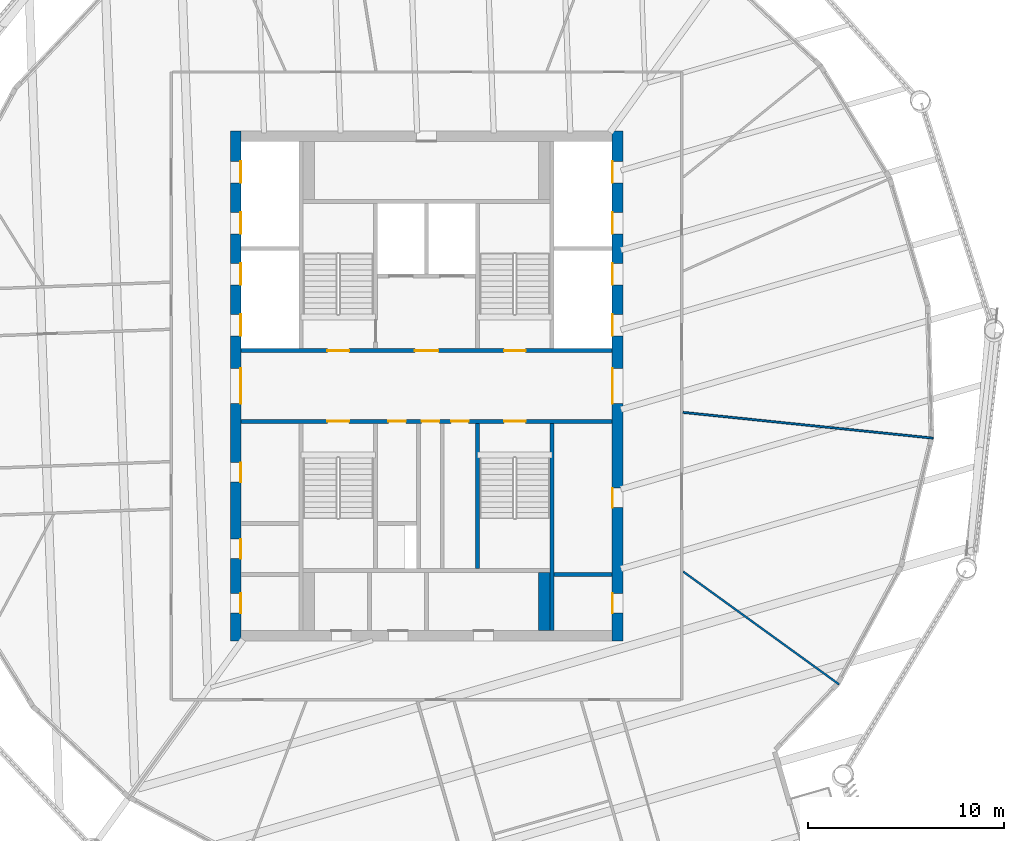
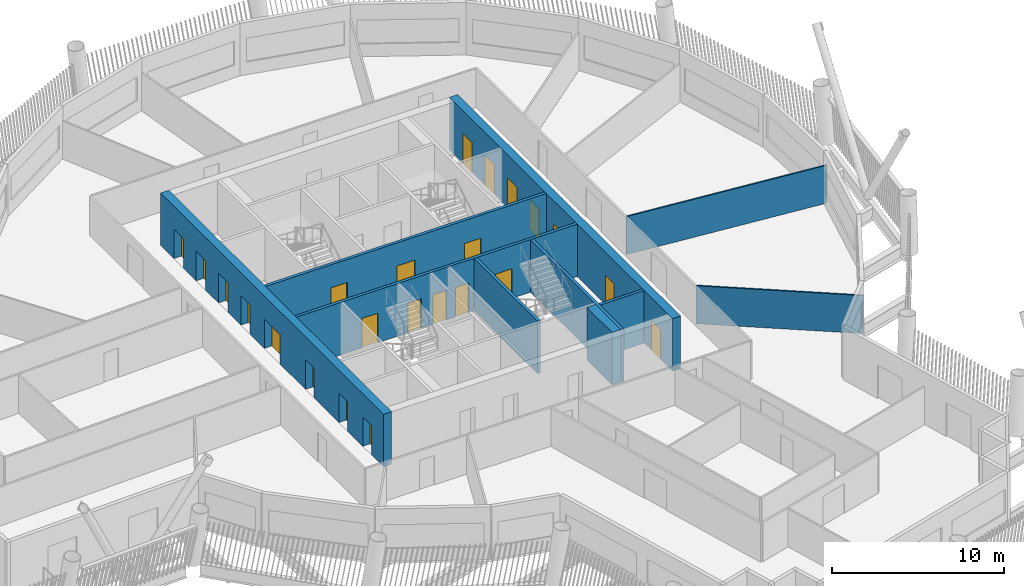
# One storey, part 5 of 20: 23 doors, 10 walls, 23 openings.
"""IFC4 building model written with IfcOpenShell, lengths in metres."""

import ifcopenshell
import ifcopenshell.guid

model = None  # the IFC model being written
_history = None  # IfcOwnerHistory: only IFC2X3 demands one
_inside = {}  # id of a spatial element -> (the spatial element, [elements in it])
_under = {}  # id of a project, library or spatial element -> (it, [spatial elements below it])
_declared = {}  # id of a project -> (the project, [libraries it declares])
_typed = {}  # id of a type object -> (the type object, [elements of that type])
_made_of = {}  # id of a material, layer set ... -> (it, [elements and type objects made of it])


def new_model(schema):
    """Start an empty IFC model of exactly this schema.

    Asked for "IFC4X3", IfcOpenShell would pick the latest addendum, in which some entities
    have other attributes; the version numbers below select the first issue.
    IFC2X3 requires an IfcOwnerHistory on every rooted entity: one is made here for all.
    """
    global model, _history
    if schema == "IFC4X3":
        model = ifcopenshell.file(schema_version=(4, 3, 0, 0))
    else:
        model = ifcopenshell.file(schema=schema)
    _inside.clear()
    _under.clear()
    _declared.clear()
    _typed.clear()
    _made_of.clear()
    _history = None
    if model.schema == "IFC2X3":
        org = make("IfcOrganization", Name="unknown")
        user = make(
            "IfcPersonAndOrganization",
            ThePerson=make("IfcPerson", FamilyName="unknown"),
            TheOrganization=org,
        )
        app = make(
            "IfcApplication",
            ApplicationDeveloper=org,
            Version="unknown",
            ApplicationFullName="unknown",
            ApplicationIdentifier="unknown",
        )
        _history = make(
            "IfcOwnerHistory",
            OwningUser=user,
            OwningApplication=app,
            ChangeAction="ADDED",
            CreationDate=0,
        )
    return model


def make(cls, **values):
    """One entity of the class cls with the attributes given. An attribute that is None is left unset."""
    return model.create_entity(
        cls, **{name: value for name, value in values.items() if value is not None}
    )


def rooted(cls, **values):
    """An entity with a GlobalId (a new one), such as an element, a storey or a relation."""
    return make(cls, GlobalId=ifcopenshell.guid.new(), OwnerHistory=_history, **values)


def si_unit(unit_type, name, prefix=None):
    """IfcSIUnit, for example si_unit("LENGTHUNIT", "METRE", prefix="MILLI")."""
    return make("IfcSIUnit", UnitType=unit_type, Prefix=prefix, Name=name)


def assignment(units):
    """IfcUnitAssignment: the units of a project."""
    return None if units is None else make("IfcUnitAssignment", Units=units)


def point(xyz):
    """IfcCartesianPoint."""
    return None if xyz is None else make("IfcCartesianPoint", Coordinates=xyz)


def direction(xyz):
    """IfcDirection."""
    return None if xyz is None else make("IfcDirection", DirectionRatios=xyz)


def frame(location, z_axis=None, x_axis=None):
    """IfcAxis2Placement3D, a coordinate frame: its origin and axes. An axis left out is left unset."""
    return make(
        "IfcAxis2Placement3D",
        Location=point(location),
        Axis=direction(z_axis),
        RefDirection=direction(x_axis),
    )


def frame_2d(location, x_axis=None):
    """IfcAxis2Placement2D, a coordinate frame in the plane: its origin and x axis."""
    return make(
        "IfcAxis2Placement2D", Location=point(location), RefDirection=direction(x_axis)
    )


def origin():
    """The frame at (0, 0, 0) with its axes left unset."""
    return frame((0.0, 0.0, 0.0))


def place(relative_to, where):
    """IfcLocalPlacement: puts the frame where relative to a parent placement (None: the world)."""
    return make(
        "IfcLocalPlacement", PlacementRelTo=relative_to, RelativePlacement=where
    )


def context(
    kind, dimensions, precision=None, world=None, true_north=None, identifier=None
):
    """IfcGeometricRepresentationContext, for example the 3D "Model" context."""
    return make(
        "IfcGeometricRepresentationContext",
        ContextIdentifier=identifier,
        ContextType=kind,
        CoordinateSpaceDimension=dimensions,
        Precision=precision,
        WorldCoordinateSystem=world,
        TrueNorth=true_north,
    )


def subcontext(parent, identifier, kind, view, scale=None):
    """IfcGeometricRepresentationSubContext, for example "Body" below "Model"."""
    return make(
        "IfcGeometricRepresentationSubContext",
        ContextIdentifier=identifier,
        ContextType=kind,
        ParentContext=parent,
        TargetScale=scale,
        TargetView=view,
    )


def project(units=None, contexts=None):
    """IfcProject with its units and contexts."""
    return rooted(
        "IfcProject",
        Name="project",
        RepresentationContexts=contexts,
        UnitsInContext=assignment(units),
    )


def spatial(cls, under=None, at=None, **own):
    """A site, building, storey or space (cls), placed at a placement, below another one or the project."""
    s = rooted(cls, ObjectPlacement=at, **own)
    if under is not None:
        _under.setdefault(under.id(), (under, []))[1].append(s)
    return s


def profile(cls, at=None, kind="AREA", **sizes):
    """A parametric profile (cls). Its sizes go by their IFC names, for example OverallWidth=200.0."""
    return make(cls, ProfileType=kind, Position=at, **sizes)


def rectangle(**sizes):
    """IfcRectangleProfileDef."""
    return profile("IfcRectangleProfileDef", **sizes)


def extrude(swept, where, along, depth):
    """IfcExtrudedAreaSolid: the profile swept, set in the frame where, extruded along a direction by depth."""
    return make(
        "IfcExtrudedAreaSolid",
        SweptArea=swept,
        Position=where,
        ExtrudedDirection=direction(along),
        Depth=depth,
    )


def shape(context_of_items, identifier, shape_type, items):
    """IfcShapeRepresentation: the items that make up one representation, for example the "Body"."""
    return make(
        "IfcShapeRepresentation",
        ContextOfItems=context_of_items,
        RepresentationIdentifier=identifier,
        RepresentationType=shape_type,
        Items=items,
    )


def material(Name=None, Category=None):
    """IfcMaterial."""
    return make("IfcMaterial", Name=Name, Category=Category)


def layer(
    of_material, thickness, ventilated=None, Name=None, Category=None, Priority=None
):
    """IfcMaterialLayer: one layer of a wall or slab, of a material (None: an air gap)."""
    return make(
        "IfcMaterialLayer",
        Material=of_material,
        LayerThickness=thickness,
        IsVentilated=ventilated,
        Name=Name,
        Category=Category,
        Priority=Priority,
    )


def layer_set(layers, Name=None):
    """IfcMaterialLayerSet."""
    return make("IfcMaterialLayerSet", MaterialLayers=layers, LayerSetName=Name)


def made_of(thing, what):
    """Note that an element or type object is made of a material, layer set ...; save() writes the relation."""
    if what is not None:
        _made_of.setdefault(what.id(), (what, []))[1].append(thing)
    return thing


def type_object(cls, material=None, **own):
    """A type object (cls), such as IfcWallType, which elements share."""
    return made_of(rooted(cls, **own), material)


def element(
    cls,
    number,
    at=None,
    inside=None,
    cuts=None,
    type_object=None,
    material=None,
    context=None,
    identifier="Body",
    shape_type=None,
    held_by="IfcProductDefinitionShape",
    body=None,
    shapes=None,
    **own,
):
    """One element of the class cls, such as IfcWall. Its Tag is "e" and its number.

    at: its placement. inside: the storey or other place that contains it. cuts: it is an
    opening in that element (IfcRelVoidsElement). A single representation is given by context,
    identifier, shape_type and body (its items); several are given by shapes. held_by: the class
    of the entity that holds the representations. save() writes the other relations.
    """
    e = rooted(cls, Tag="e%d" % number, ObjectPlacement=at, **own)
    if body is not None:
        shapes = [shape(context, identifier, shape_type, body)]
    if shapes is not None:
        e.Representation = make(held_by, Representations=shapes)
    if inside is not None:
        _inside.setdefault(inside.id(), (inside, []))[1].append(e)
    if cuts is not None:
        rooted(
            "IfcRelVoidsElement", RelatingBuildingElement=cuts, RelatedOpeningElement=e
        )
    if type_object is not None:
        _typed.setdefault(type_object.id(), (type_object, []))[1].append(e)
    return made_of(e, material)


def fill(opening, filler):
    """IfcRelFillsElement: the door or window that sits in an opening."""
    return rooted(
        "IfcRelFillsElement",
        RelatingOpeningElement=opening,
        RelatedBuildingElement=filler,
    )


def aggregate(whole, parts):
    """IfcRelAggregates: a whole, such as a stair, and the parts it consists of."""
    return rooted("IfcRelAggregates", RelatingObject=whole, RelatedObjects=parts)


def save(model, path):
    """Write the relations noted so far, then the file.

    IfcRelAggregates (storeys below a building ...), IfcRelContainedInSpatialStructure (elements
    in a storey), IfcRelDefinesByType, IfcRelAssociatesMaterial and IfcRelDeclares: one each for
    every whole, place, type object, material and project.
    """
    for whole, parts in _under.values():
        aggregate(whole, parts)
    for where, things in _inside.values():
        rooted(
            "IfcRelContainedInSpatialStructure",
            RelatedElements=things,
            RelatingStructure=where,
        )
    for kind, things in _typed.values():
        rooted("IfcRelDefinesByType", RelatedObjects=things, RelatingType=kind)
    for what, things in _made_of.values():
        rooted("IfcRelAssociatesMaterial", RelatedObjects=things, RelatingMaterial=what)
    for by, libraries in _declared.values():
        rooted("IfcRelDeclares", RelatingContext=by, RelatedDefinitions=libraries)
    model.write(path)


model = new_model("IFC4")

# Units and contexts
model_context = context("Model", 3, precision=1e-05, world=origin(), true_north=direction((0.0, 1.0)))
body_context = subcontext(model_context, "Body", "Model", "MODEL_VIEW")
ifc_project = project(units=[si_unit("LENGTHUNIT", "METRE"), si_unit("AREAUNIT", "SQUARE_METRE"), si_unit("VOLUMEUNIT", "CUBIC_METRE"), si_unit("PLANEANGLEUNIT", "RADIAN"), si_unit("MASSUNIT", "GRAM", prefix="KILO")], contexts=[model_context])

# Site, building, storey
site_placement = place(None, origin())
site = spatial("IfcSite", under=ifc_project, at=site_placement, CompositionType="ELEMENT")
building_placement = place(site_placement, origin())
building = spatial("IfcBuilding", under=site, at=building_placement, Name="Tarsis Ring Headquarters", CompositionType="ELEMENT")
storey_placement = place(building_placement, frame((0.0, 0.0, 294.199951171875)))
storey = spatial("IfcBuildingStorey", under=building, at=storey_placement, Name="L69", CompositionType="ELEMENT", Elevation=294.199951171875)

# Wall
ifc_material_1 = material(Name="Blockwork", Category="masonry")
ifc_layer_1 = layer(ifc_material_1, 0.199951171875)
ifc_layer_set_1 = layer_set([ifc_layer_1], Name="Core blockwork wall 200")
wall_type_1 = type_object("IfcWallType", Name="Core blockwork wall 200", PredefinedType="PARTITIONING", material=ifc_layer_set_1)
wall_1_placement = place(storey_placement, frame((6.5, -9.60009765625, 0.0), z_axis=(0.0, 0.0, 1.0), x_axis=(1.0, 0.0, 0.0)))
element("IfcWall", 1, at=wall_1_placement, inside=storey, type_object=wall_type_1, Name="Core partition ED1", PredefinedType="PARTITIONING", context=body_context, shape_type="SweptSolid", body=[
    extrude(rectangle(XDim=2.949951171875, YDim=0.199951171875, at=frame_2d((1.47509765625, 0.0))), origin(), (0.0, 0.0, 1.0), 3.739990234375),
])

# Wall, openings, doors
ifc_material_2 = material(Name="Concrete C50/60", Category="concrete")
ifc_layer_2 = layer(ifc_material_2, 0.550048828125)
ifc_layer_set_2 = layer_set([ifc_layer_2], Name="Core wall 550 C50/60")
wall_type_2 = type_object("IfcWallType", Name="Core wall 550 C50/60", PredefinedType="SHEAR", material=ifc_layer_set_2)
wall_2_placement = place(storey_placement, frame((-9.72509765625, -13.0, 0.0), z_axis=(0.0, 0.0, 1.0), x_axis=(0.0, 1.0, 0.0)))
wall_2 = element("IfcWall", 2, at=wall_2_placement, inside=storey, type_object=wall_type_2, Name="Core wall OW", PredefinedType="SHEAR", context=body_context, shape_type="SweptSolid", body=[
    extrude(rectangle(XDim=26.0, YDim=0.550048828125, at=frame_2d((13.0, 0.0))), origin(), (0.0, 0.0, 1.0), 3.739990234375),
])
opening_1_placement = place(wall_2_placement, frame((1.425048828125, 0.0, 0.0)))
opening_1 = element("IfcOpeningElement", 3, at=opening_1_placement, cuts=wall_2, Name="Opening L69-C01", PredefinedType="OPENING", context=body_context, shape_type="SweptSolid", body=[
    extrude(rectangle(XDim=1.0, YDim=2.10009765625, at=frame_2d((0.5, 1.050048828125))), frame((0.0, 0.284912109375, 0.0), z_axis=(0.0, -1.0, 0.0), x_axis=(1.0, 0.0, 0.0)), (0.0, 0.0, 1.0), 0.570068359375),
])
opening_2_placement = place(wall_2_placement, frame((4.199951171875, 0.0, 0.0)))
opening_2 = element("IfcOpeningElement", 4, at=opening_2_placement, cuts=wall_2, Name="Opening L69-C02", PredefinedType="OPENING", context=body_context, shape_type="SweptSolid", body=[
    extrude(rectangle(XDim=1.0, YDim=2.10009765625, at=frame_2d((0.5, 1.050048828125))), frame((0.0, 0.284912109375, 0.0), z_axis=(0.0, -1.0, 0.0), x_axis=(1.0, 0.0, 0.0)), (0.0, 0.0, 1.0), 0.570068359375),
])
opening_3_placement = place(wall_2_placement, frame((8.10009765625, 0.0, 0.0)))
opening_3 = element("IfcOpeningElement", 5, at=opening_3_placement, cuts=wall_2, Name="Opening L69-C03", PredefinedType="OPENING", context=body_context, shape_type="SweptSolid", body=[
    extrude(rectangle(XDim=1.0, YDim=2.10009765625, at=frame_2d((0.5, 1.050048828125))), frame((0.0, 0.284912109375, 0.0), z_axis=(0.0, -1.0, 0.0), x_axis=(1.0, 0.0, 0.0)), (0.0, 0.0, 1.0), 0.570068359375),
])
opening_4_placement = place(wall_2_placement, frame((12.10009765625, 0.0, 0.0)))
opening_4 = element("IfcOpeningElement", 6, at=opening_4_placement, cuts=wall_2, Name="Opening L69-C04", PredefinedType="OPENING", context=body_context, shape_type="SweptSolid", body=[
    extrude(rectangle(XDim=1.800048828125, YDim=2.10009765625, at=frame_2d((0.89990234375, 1.050048828125))), frame((0.0, 0.284912109375, 0.0), z_axis=(0.0, -1.0, 0.0), x_axis=(1.0, 0.0, 0.0)), (0.0, 0.0, 1.0), 0.570068359375),
])
opening_5_placement = place(wall_2_placement, frame((15.550048828125, 0.0, 0.0)))
opening_5 = element("IfcOpeningElement", 7, at=opening_5_placement, cuts=wall_2, Name="Opening LD-HR1", PredefinedType="OPENING", context=body_context, shape_type="SweptSolid", body=[
    extrude(rectangle(XDim=1.10009765625, YDim=2.10009765625, at=frame_2d((0.550048828125, 1.050048828125))), frame((0.0, 0.284912109375, 0.0), z_axis=(0.0, -1.0, 0.0), x_axis=(1.0, 0.0, 0.0)), (0.0, 0.0, 1.0), 0.570068359375),
])
opening_6_placement = place(wall_2_placement, frame((18.14990234375, 0.0, 0.0)))
opening_6 = element("IfcOpeningElement", 8, at=opening_6_placement, cuts=wall_2, Name="Opening LD-HR2", PredefinedType="OPENING", context=body_context, shape_type="SweptSolid", body=[
    extrude(rectangle(XDim=1.10009765625, YDim=2.10009765625, at=frame_2d((0.550048828125, 1.050048828125))), frame((0.0, 0.284912109375, 0.0), z_axis=(0.0, -1.0, 0.0), x_axis=(1.0, 0.0, 0.0)), (0.0, 0.0, 1.0), 0.570068359375),
])
opening_7_placement = place(wall_2_placement, frame((20.75, 0.0, 0.0)))
opening_7 = element("IfcOpeningElement", 9, at=opening_7_placement, cuts=wall_2, Name="Opening LD-HR3", PredefinedType="OPENING", context=body_context, shape_type="SweptSolid", body=[
    extrude(rectangle(XDim=1.10009765625, YDim=2.10009765625, at=frame_2d((0.550048828125, 1.050048828125))), frame((0.0, 0.284912109375, 0.0), z_axis=(0.0, -1.0, 0.0), x_axis=(1.0, 0.0, 0.0)), (0.0, 0.0, 1.0), 0.570068359375),
])
opening_8_placement = place(wall_2_placement, frame((23.35009765625, 0.0, 0.0)))
opening_8 = element("IfcOpeningElement", 10, at=opening_8_placement, cuts=wall_2, Name="Opening LD-HR4", PredefinedType="OPENING", context=body_context, shape_type="SweptSolid", body=[
    extrude(rectangle(XDim=1.10009765625, YDim=2.10009765625, at=frame_2d((0.550048828125, 1.050048828125))), frame((0.0, 0.284912109375, 0.0), z_axis=(0.0, -1.0, 0.0), x_axis=(1.0, 0.0, 0.0)), (0.0, 0.0, 1.0), 0.570068359375),
])
ifc_material_3 = material(Name="Steel S355", Category="steel")
door_type_1 = type_object("IfcDoorType", Name="Core entry door 1800x2100", OperationType="DOUBLE_DOOR_SINGLE_SWING", PredefinedType="DOOR", material=ifc_material_3)
door_1_placement = place(opening_4_placement, origin())
door_1 = element("IfcDoor", 11, at=door_1_placement, inside=storey, type_object=door_type_1, Name="Core entry door L69", OperationType="DOUBLE_DOOR_SINGLE_SWING", OverallHeight=2.10009765625, OverallWidth=1.800048828125, PredefinedType="DOOR", context=body_context, shape_type="SweptSolid", body=[
    extrude(rectangle(XDim=1.800048828125, YDim=2.10009765625, at=frame_2d((0.89990234375, 1.050048828125))), frame((0.0, -0.22509765625, 0.0), z_axis=(0.0, -1.0, 0.0), x_axis=(1.0, 0.0, 0.0)), (0.0, 0.0, 1.0), 0.050048828125),
])
fill(opening_4, door_1)
door_type_2 = type_object("IfcDoorType", Name="Core room door 1000x2100", OperationType="SINGLE_SWING_LEFT", PredefinedType="DOOR", material=ifc_material_3)
door_2_placement = place(opening_1_placement, origin())
door_2 = element("IfcDoor", 12, at=door_2_placement, inside=storey, type_object=door_type_2, Name="Core room door L69", OperationType="SINGLE_SWING_LEFT", OverallHeight=2.10009765625, OverallWidth=1.0, PredefinedType="DOOR", context=body_context, shape_type="SweptSolid", body=[
    extrude(rectangle(XDim=1.0, YDim=2.10009765625, at=frame_2d((0.5, 1.050048828125))), frame((0.0, -0.22509765625, 0.0), z_axis=(0.0, -1.0, 0.0), x_axis=(1.0, 0.0, 0.0)), (0.0, 0.0, 1.0), 0.050048828125),
])
fill(opening_1, door_2)
door_3_placement = place(opening_2_placement, origin())
door_3 = element("IfcDoor", 13, at=door_3_placement, inside=storey, type_object=door_type_2, Name="Core room door L69", OperationType="SINGLE_SWING_LEFT", OverallHeight=2.10009765625, OverallWidth=1.0, PredefinedType="DOOR", context=body_context, shape_type="SweptSolid", body=[
    extrude(rectangle(XDim=1.0, YDim=2.10009765625, at=frame_2d((0.5, 1.050048828125))), frame((0.0, -0.22509765625, 0.0), z_axis=(0.0, -1.0, 0.0), x_axis=(1.0, 0.0, 0.0)), (0.0, 0.0, 1.0), 0.050048828125),
])
fill(opening_2, door_3)
door_4_placement = place(opening_3_placement, origin())
door_4 = element("IfcDoor", 14, at=door_4_placement, inside=storey, type_object=door_type_2, Name="Core room door L69", OperationType="SINGLE_SWING_LEFT", OverallHeight=2.10009765625, OverallWidth=1.0, PredefinedType="DOOR", context=body_context, shape_type="SweptSolid", body=[
    extrude(rectangle(XDim=1.0, YDim=2.10009765625, at=frame_2d((0.5, 1.050048828125))), frame((0.0, -0.22509765625, 0.0), z_axis=(0.0, -1.0, 0.0), x_axis=(1.0, 0.0, 0.0)), (0.0, 0.0, 1.0), 0.050048828125),
])
fill(opening_3, door_4)
door_type_3 = type_object("IfcDoorType", Name="Landing door 1100x2100", OperationType="SLIDING_TO_LEFT", PredefinedType="DOOR", material=ifc_material_3)
door_5_placement = place(opening_5_placement, origin())
door_5 = element("IfcDoor", 15, at=door_5_placement, inside=storey, type_object=door_type_3, Name="Landing door HR1 L69", OperationType="SLIDING_TO_LEFT", OverallHeight=2.10009765625, OverallWidth=1.10009765625, PredefinedType="DOOR", context=body_context, shape_type="SweptSolid", body=[
    extrude(rectangle(XDim=1.10009765625, YDim=2.10009765625, at=frame_2d((0.550048828125, 1.050048828125))), frame((0.0, -0.22509765625, 0.0), z_axis=(0.0, -1.0, 0.0), x_axis=(1.0, 0.0, 0.0)), (0.0, 0.0, 1.0), 0.050048828125),
])
fill(opening_5, door_5)
door_6_placement = place(opening_6_placement, origin())
door_6 = element("IfcDoor", 16, at=door_6_placement, inside=storey, type_object=door_type_3, Name="Landing door HR2 L69", OperationType="SLIDING_TO_LEFT", OverallHeight=2.10009765625, OverallWidth=1.10009765625, PredefinedType="DOOR", context=body_context, shape_type="SweptSolid", body=[
    extrude(rectangle(XDim=1.10009765625, YDim=2.10009765625, at=frame_2d((0.550048828125, 1.050048828125))), frame((0.0, -0.22509765625, 0.0), z_axis=(0.0, -1.0, 0.0), x_axis=(1.0, 0.0, 0.0)), (0.0, 0.0, 1.0), 0.050048828125),
])
fill(opening_6, door_6)
door_7_placement = place(opening_7_placement, origin())
door_7 = element("IfcDoor", 17, at=door_7_placement, inside=storey, type_object=door_type_3, Name="Landing door HR3 L69", OperationType="SLIDING_TO_LEFT", OverallHeight=2.10009765625, OverallWidth=1.10009765625, PredefinedType="DOOR", context=body_context, shape_type="SweptSolid", body=[
    extrude(rectangle(XDim=1.10009765625, YDim=2.10009765625, at=frame_2d((0.550048828125, 1.050048828125))), frame((0.0, -0.22509765625, 0.0), z_axis=(0.0, -1.0, 0.0), x_axis=(1.0, 0.0, 0.0)), (0.0, 0.0, 1.0), 0.050048828125),
])
fill(opening_7, door_7)
door_8_placement = place(opening_8_placement, origin())
door_8 = element("IfcDoor", 18, at=door_8_placement, inside=storey, type_object=door_type_3, Name="Landing door HR4 L69", OperationType="SLIDING_TO_LEFT", OverallHeight=2.10009765625, OverallWidth=1.10009765625, PredefinedType="DOOR", context=body_context, shape_type="SweptSolid", body=[
    extrude(rectangle(XDim=1.10009765625, YDim=2.10009765625, at=frame_2d((0.550048828125, 1.050048828125))), frame((0.0, -0.22509765625, 0.0), z_axis=(0.0, -1.0, 0.0), x_axis=(1.0, 0.0, 0.0)), (0.0, 0.0, 1.0), 0.050048828125),
])
fill(opening_8, door_8)

wall_3_placement = place(storey_placement, frame((9.72509765625, -13.0, 0.0), z_axis=(0.0, 0.0, 1.0), x_axis=(0.0, 1.0, 0.0)))
wall_3 = element("IfcWall", 19, at=wall_3_placement, inside=storey, type_object=wall_type_2, Name="Core wall OE", PredefinedType="SHEAR", context=body_context, shape_type="SweptSolid", body=[
    extrude(rectangle(XDim=26.0, YDim=0.550048828125, at=frame_2d((13.0, 0.0))), origin(), (0.0, 0.0, 1.0), 3.739990234375),
])
opening_9_placement = place(wall_3_placement, frame((1.425048828125, 0.0, 0.0)))
opening_9 = element("IfcOpeningElement", 20, at=opening_9_placement, cuts=wall_3, Name="Opening L69-C09", PredefinedType="OPENING", context=body_context, shape_type="SweptSolid", body=[
    extrude(rectangle(XDim=1.0, YDim=2.10009765625, at=frame_2d((0.5, 1.050048828125))), frame((0.0, 0.284912109375, 0.0), z_axis=(0.0, -1.0, 0.0), x_axis=(1.0, 0.0, 0.0)), (0.0, 0.0, 1.0), 0.570068359375),
])
opening_10_placement = place(wall_3_placement, frame((6.800048828125, 0.0, 0.0)))
opening_10 = element("IfcOpeningElement", 21, at=opening_10_placement, cuts=wall_3, Name="Opening L69-C10", PredefinedType="OPENING", context=body_context, shape_type="SweptSolid", body=[
    extrude(rectangle(XDim=1.0, YDim=2.10009765625, at=frame_2d((0.5, 1.050048828125))), frame((0.0, 0.284912109375, 0.0), z_axis=(0.0, -1.0, 0.0), x_axis=(1.0, 0.0, 0.0)), (0.0, 0.0, 1.0), 0.570068359375),
])
opening_11_placement = place(wall_3_placement, frame((12.10009765625, 0.0, 0.0)))
opening_11 = element("IfcOpeningElement", 22, at=opening_11_placement, cuts=wall_3, Name="Opening L69-C11", PredefinedType="OPENING", context=body_context, shape_type="SweptSolid", body=[
    extrude(rectangle(XDim=1.800048828125, YDim=2.10009765625, at=frame_2d((0.89990234375, 1.050048828125))), frame((0.0, 0.284912109375, 0.0), z_axis=(0.0, -1.0, 0.0), x_axis=(1.0, 0.0, 0.0)), (0.0, 0.0, 1.0), 0.570068359375),
])
opening_12_placement = place(wall_3_placement, frame((15.550048828125, 0.0, 0.0)))
opening_12 = element("IfcOpeningElement", 23, at=opening_12_placement, cuts=wall_3, Name="Opening LD-HR5", PredefinedType="OPENING", context=body_context, shape_type="SweptSolid", body=[
    extrude(rectangle(XDim=1.10009765625, YDim=2.10009765625, at=frame_2d((0.550048828125, 1.050048828125))), frame((0.0, 0.284912109375, 0.0), z_axis=(0.0, -1.0, 0.0), x_axis=(1.0, 0.0, 0.0)), (0.0, 0.0, 1.0), 0.570068359375),
])
opening_13_placement = place(wall_3_placement, frame((18.14990234375, 0.0, 0.0)))
opening_13 = element("IfcOpeningElement", 24, at=opening_13_placement, cuts=wall_3, Name="Opening LD-HR6", PredefinedType="OPENING", context=body_context, shape_type="SweptSolid", body=[
    extrude(rectangle(XDim=1.10009765625, YDim=2.10009765625, at=frame_2d((0.550048828125, 1.050048828125))), frame((0.0, 0.284912109375, 0.0), z_axis=(0.0, -1.0, 0.0), x_axis=(1.0, 0.0, 0.0)), (0.0, 0.0, 1.0), 0.570068359375),
])
opening_14_placement = place(wall_3_placement, frame((20.75, 0.0, 0.0)))
opening_14 = element("IfcOpeningElement", 25, at=opening_14_placement, cuts=wall_3, Name="Opening LD-HR7", PredefinedType="OPENING", context=body_context, shape_type="SweptSolid", body=[
    extrude(rectangle(XDim=1.10009765625, YDim=2.10009765625, at=frame_2d((0.550048828125, 1.050048828125))), frame((0.0, 0.284912109375, 0.0), z_axis=(0.0, -1.0, 0.0), x_axis=(1.0, 0.0, 0.0)), (0.0, 0.0, 1.0), 0.570068359375),
])
opening_15_placement = place(wall_3_placement, frame((23.35009765625, 0.0, 0.0)))
opening_15 = element("IfcOpeningElement", 26, at=opening_15_placement, cuts=wall_3, Name="Opening LD-HR8", PredefinedType="OPENING", context=body_context, shape_type="SweptSolid", body=[
    extrude(rectangle(XDim=1.10009765625, YDim=2.10009765625, at=frame_2d((0.550048828125, 1.050048828125))), frame((0.0, 0.284912109375, 0.0), z_axis=(0.0, -1.0, 0.0), x_axis=(1.0, 0.0, 0.0)), (0.0, 0.0, 1.0), 0.570068359375),
])
door_9_placement = place(opening_11_placement, origin())
door_9 = element("IfcDoor", 27, at=door_9_placement, inside=storey, type_object=door_type_1, Name="Core entry door L69", OperationType="DOUBLE_DOOR_SINGLE_SWING", OverallHeight=2.10009765625, OverallWidth=1.800048828125, PredefinedType="DOOR", context=body_context, shape_type="SweptSolid", body=[
    extrude(rectangle(XDim=1.800048828125, YDim=2.10009765625, at=frame_2d((0.89990234375, 1.050048828125))), frame((0.0, 0.27490234375, 0.0), z_axis=(0.0, -1.0, 0.0), x_axis=(1.0, 0.0, 0.0)), (0.0, 0.0, 1.0), 0.050048828125),
])
fill(opening_11, door_9)
door_10_placement = place(opening_9_placement, origin())
door_10 = element("IfcDoor", 28, at=door_10_placement, inside=storey, type_object=door_type_2, Name="Core room door L69", OperationType="SINGLE_SWING_LEFT", OverallHeight=2.10009765625, OverallWidth=1.0, PredefinedType="DOOR", context=body_context, shape_type="SweptSolid", body=[
    extrude(rectangle(XDim=1.0, YDim=2.10009765625, at=frame_2d((0.5, 1.050048828125))), frame((0.0, 0.27490234375, 0.0), z_axis=(0.0, -1.0, 0.0), x_axis=(1.0, 0.0, 0.0)), (0.0, 0.0, 1.0), 0.050048828125),
])
fill(opening_9, door_10)
door_11_placement = place(opening_10_placement, origin())
door_11 = element("IfcDoor", 29, at=door_11_placement, inside=storey, type_object=door_type_2, Name="Core room door L69", OperationType="SINGLE_SWING_LEFT", OverallHeight=2.10009765625, OverallWidth=1.0, PredefinedType="DOOR", context=body_context, shape_type="SweptSolid", body=[
    extrude(rectangle(XDim=1.0, YDim=2.10009765625, at=frame_2d((0.5, 1.050048828125))), frame((0.0, 0.27490234375, 0.0), z_axis=(0.0, -1.0, 0.0), x_axis=(1.0, 0.0, 0.0)), (0.0, 0.0, 1.0), 0.050048828125),
])
fill(opening_10, door_11)
door_12_placement = place(opening_12_placement, origin())
door_12 = element("IfcDoor", 30, at=door_12_placement, inside=storey, type_object=door_type_3, Name="Landing door HR5 L69", OperationType="SLIDING_TO_LEFT", OverallHeight=2.10009765625, OverallWidth=1.10009765625, PredefinedType="DOOR", context=body_context, shape_type="SweptSolid", body=[
    extrude(rectangle(XDim=1.10009765625, YDim=2.10009765625, at=frame_2d((0.550048828125, 1.050048828125))), frame((0.0, 0.27490234375, 0.0), z_axis=(0.0, -1.0, 0.0), x_axis=(1.0, 0.0, 0.0)), (0.0, 0.0, 1.0), 0.050048828125),
])
fill(opening_12, door_12)
door_13_placement = place(opening_13_placement, origin())
door_13 = element("IfcDoor", 31, at=door_13_placement, inside=storey, type_object=door_type_3, Name="Landing door HR6 L69", OperationType="SLIDING_TO_LEFT", OverallHeight=2.10009765625, OverallWidth=1.10009765625, PredefinedType="DOOR", context=body_context, shape_type="SweptSolid", body=[
    extrude(rectangle(XDim=1.10009765625, YDim=2.10009765625, at=frame_2d((0.550048828125, 1.050048828125))), frame((0.0, 0.27490234375, 0.0), z_axis=(0.0, -1.0, 0.0), x_axis=(1.0, 0.0, 0.0)), (0.0, 0.0, 1.0), 0.050048828125),
])
fill(opening_13, door_13)
door_14_placement = place(opening_14_placement, origin())
door_14 = element("IfcDoor", 32, at=door_14_placement, inside=storey, type_object=door_type_3, Name="Landing door HR7 L69", OperationType="SLIDING_TO_LEFT", OverallHeight=2.10009765625, OverallWidth=1.10009765625, PredefinedType="DOOR", context=body_context, shape_type="SweptSolid", body=[
    extrude(rectangle(XDim=1.10009765625, YDim=2.10009765625, at=frame_2d((0.550048828125, 1.050048828125))), frame((0.0, 0.27490234375, 0.0), z_axis=(0.0, -1.0, 0.0), x_axis=(1.0, 0.0, 0.0)), (0.0, 0.0, 1.0), 0.050048828125),
])
fill(opening_14, door_14)
door_15_placement = place(opening_15_placement, origin())
door_15 = element("IfcDoor", 33, at=door_15_placement, inside=storey, type_object=door_type_3, Name="Landing door HR8 L69", OperationType="SLIDING_TO_LEFT", OverallHeight=2.10009765625, OverallWidth=1.10009765625, PredefinedType="DOOR", context=body_context, shape_type="SweptSolid", body=[
    extrude(rectangle(XDim=1.10009765625, YDim=2.10009765625, at=frame_2d((0.550048828125, 1.050048828125))), frame((0.0, 0.27490234375, 0.0), z_axis=(0.0, -1.0, 0.0), x_axis=(1.0, 0.0, 0.0)), (0.0, 0.0, 1.0), 0.050048828125),
])
fill(opening_15, door_15)

# Walls
ifc_material_4 = material(Name="Gypsum board on steel studs", Category="steel")
ifc_layer_3 = layer(ifc_material_4, 0.10009765625)
ifc_layer_set_3 = layer_set([ifc_layer_3], Name="FL partition 100 unrated")
wall_type_3 = type_object("IfcWallType", Name="FL partition 100 unrated", PredefinedType="PARTITIONING", material=ifc_layer_set_3)
wall_4_placement = place(storey_placement, frame((13.069580078125, -1.345947265625, 0.0), z_axis=(0.0, 0.0, 1.0), x_axis=(0.994738444074, -0.102447195572, 0.0)))
element("IfcWall", 34, at=wall_4_placement, inside=storey, type_object=wall_type_3, Name="Partition PW3", PredefinedType="PARTITIONING", context=body_context, shape_type="SweptSolid", body=[
    extrude(rectangle(XDim=12.80908203125, YDim=0.10009765625, at=frame_2d((6.404541015625, 0.0))), origin(), (0.0, 0.0, 1.0), 2.699951171875),
])
wall_5_placement = place(storey_placement, frame((13.0810546875, -9.462158203125, 0.0), z_axis=(0.0, 0.0, 1.0), x_axis=(0.81024756003, -0.586087784778, 0.0)))
element("IfcWall", 35, at=wall_5_placement, inside=storey, type_object=wall_type_3, Name="Partition PW3", PredefinedType="PARTITIONING", context=body_context, shape_type="SweptSolid", body=[
    extrude(rectangle(XDim=9.80322265625, YDim=0.10009765625, at=frame_2d((4.901611328125, 0.0))), origin(), (0.0, 0.0, 1.0), 2.699951171875),
])
ifc_material_5 = material(Name="Concrete C32/40", Category="concrete")
ifc_layer_4 = layer(ifc_material_5, 0.60009765625)
ifc_layer_set_4 = layer_set([ifc_layer_4], Name="Shaft end wall 600 C32/40")
wall_type_4 = type_object("IfcWallType", Name="Shaft end wall 600 C32/40", PredefinedType="SOLIDWALL", material=ifc_layer_set_4)
wall_6_placement = place(storey_placement, frame((6.0, -12.449951171875, 0.0), z_axis=(0.0, 0.0, 1.0), x_axis=(0.0, 1.0, 0.0)))
element("IfcWall", 36, at=wall_6_placement, inside=storey, type_object=wall_type_4, Name="Core shaft wall SNE2", PredefinedType="SOLIDWALL", context=body_context, shape_type="SweptSolid", body=[
    extrude(rectangle(XDim=2.949951171875, YDim=0.60009765625, at=frame_2d((1.47509765625, 0.0))), origin(), (0.0, 0.0, 1.0), 3.739990234375),
])

# Wall, openings, doors
ifc_layer_5 = layer(ifc_material_5, 0.199951171875)
ifc_layer_set_5 = layer_set([ifc_layer_5], Name="Shaft wall 200 C32/40")
wall_type_5 = type_object("IfcWallType", Name="Shaft wall 200 C32/40", PredefinedType="SOLIDWALL", material=ifc_layer_set_5)
wall_7_placement = place(storey_placement, frame((-9.449951171875, 1.800048828125, 0.0), z_axis=(0.0, 0.0, 1.0), x_axis=(1.0, 0.0, 0.0)))
wall_7 = element("IfcWall", 37, at=wall_7_placement, inside=storey, type_object=wall_type_5, Name="Core shaft wall CN", PredefinedType="SOLIDWALL", context=body_context, shape_type="SweptSolid", body=[
    extrude(rectangle(XDim=18.89990234375, YDim=0.199951171875, at=frame_2d((9.449951171875, 0.0))), origin(), (0.0, 0.0, 1.0), 3.739990234375),
])
opening_16_placement = place(wall_7_placement, frame((4.39990234375, 0.0, 0.0)))
opening_16 = element("IfcOpeningElement", 38, at=opening_16_placement, cuts=wall_7, Name="Opening L69-C20", PredefinedType="OPENING", context=body_context, shape_type="SweptSolid", body=[
    extrude(rectangle(XDim=1.10009765625, YDim=2.10009765625, at=frame_2d((0.550048828125, 1.050048828125))), frame((0.0, 0.10986328125, 0.0), z_axis=(0.0, -1.0, 0.0), x_axis=(1.0, 0.0, 0.0)), (0.0, 0.0, 1.0), 0.219970703125),
])
opening_17_placement = place(wall_7_placement, frame((8.85009765625, 0.0, 0.0)))
opening_17 = element("IfcOpeningElement", 39, at=opening_17_placement, cuts=wall_7, Name="Opening L69-C21", PredefinedType="OPENING", context=body_context, shape_type="SweptSolid", body=[
    extrude(rectangle(XDim=1.199951171875, YDim=2.10009765625, at=frame_2d((0.60009765625, 1.050048828125))), frame((0.0, 0.10986328125, 0.0), z_axis=(0.0, -1.0, 0.0), x_axis=(1.0, 0.0, 0.0)), (0.0, 0.0, 1.0), 0.219970703125),
])
opening_18_placement = place(wall_7_placement, frame((13.39990234375, 0.0, 0.0)))
opening_18 = element("IfcOpeningElement", 40, at=opening_18_placement, cuts=wall_7, Name="Opening L69-C22", PredefinedType="OPENING", context=body_context, shape_type="SweptSolid", body=[
    extrude(rectangle(XDim=1.10009765625, YDim=2.10009765625, at=frame_2d((0.550048828125, 1.050048828125))), frame((0.0, 0.10986328125, 0.0), z_axis=(0.0, -1.0, 0.0), x_axis=(1.0, 0.0, 0.0)), (0.0, 0.0, 1.0), 0.219970703125),
])
door_type_4 = type_object("IfcDoorType", Name="Firefighting lobby door 1200x2100", OperationType="DOUBLE_DOOR_SINGLE_SWING", PredefinedType="DOOR", material=ifc_material_3)
door_16_placement = place(opening_17_placement, origin())
door_16 = element("IfcDoor", 41, at=door_16_placement, inside=storey, type_object=door_type_4, Name="Firefighting lobby door L69", OperationType="DOUBLE_DOOR_SINGLE_SWING", OverallHeight=2.10009765625, OverallWidth=1.199951171875, PredefinedType="DOOR", context=body_context, shape_type="SweptSolid", body=[
    extrude(rectangle(XDim=1.199951171875, YDim=2.10009765625, at=frame_2d((0.60009765625, 1.050048828125))), frame((0.0, 0.02490234375, 0.0), z_axis=(0.0, -1.0, 0.0), x_axis=(1.0, 0.0, 0.0)), (0.0, 0.0, 1.0), 0.050048828125),
])
fill(opening_17, door_16)
door_type_5 = type_object("IfcDoorType", Name="Stair door 1100x2100", OperationType="SINGLE_SWING_LEFT", PredefinedType="DOOR", material=ifc_material_3)
door_17_placement = place(opening_16_placement, origin())
door_17 = element("IfcDoor", 42, at=door_17_placement, inside=storey, type_object=door_type_5, Name="Stair door L69", OperationType="SINGLE_SWING_LEFT", OverallHeight=2.10009765625, OverallWidth=1.10009765625, PredefinedType="DOOR", context=body_context, shape_type="SweptSolid", body=[
    extrude(rectangle(XDim=1.10009765625, YDim=2.10009765625, at=frame_2d((0.550048828125, 1.050048828125))), frame((0.0, 0.02490234375, 0.0), z_axis=(0.0, -1.0, 0.0), x_axis=(1.0, 0.0, 0.0)), (0.0, 0.0, 1.0), 0.050048828125),
])
fill(opening_16, door_17)
door_18_placement = place(opening_18_placement, origin())
door_18 = element("IfcDoor", 43, at=door_18_placement, inside=storey, type_object=door_type_5, Name="Stair door L69", OperationType="SINGLE_SWING_LEFT", OverallHeight=2.10009765625, OverallWidth=1.10009765625, PredefinedType="DOOR", context=body_context, shape_type="SweptSolid", body=[
    extrude(rectangle(XDim=1.10009765625, YDim=2.10009765625, at=frame_2d((0.550048828125, 1.050048828125))), frame((0.0, 0.02490234375, 0.0), z_axis=(0.0, -1.0, 0.0), x_axis=(1.0, 0.0, 0.0)), (0.0, 0.0, 1.0), 0.050048828125),
])
fill(opening_18, door_18)

wall_8_placement = place(storey_placement, frame((-9.449951171875, -1.800048828125, 0.0), z_axis=(0.0, 0.0, 1.0), x_axis=(1.0, 0.0, 0.0)))
wall_8 = element("IfcWall", 44, at=wall_8_placement, inside=storey, type_object=wall_type_5, Name="Core shaft wall CS", PredefinedType="SOLIDWALL", context=body_context, shape_type="SweptSolid", body=[
    extrude(rectangle(XDim=18.89990234375, YDim=0.199951171875, at=frame_2d((9.449951171875, 0.0))), origin(), (0.0, 0.0, 1.0), 3.739990234375),
])
opening_19_placement = place(wall_8_placement, frame((4.39990234375, 0.0, 0.0)))
opening_19 = element("IfcOpeningElement", 45, at=opening_19_placement, cuts=wall_8, Name="Opening L69-C23", PredefinedType="OPENING", context=body_context, shape_type="SweptSolid", body=[
    extrude(rectangle(XDim=1.10009765625, YDim=2.10009765625, at=frame_2d((0.550048828125, 1.050048828125))), frame((0.0, 0.10986328125, 0.0), z_axis=(0.0, -1.0, 0.0), x_axis=(1.0, 0.0, 0.0)), (0.0, 0.0, 1.0), 0.219970703125),
])
opening_20_placement = place(wall_8_placement, frame((7.5, 0.0, 0.0)))
opening_20 = element("IfcOpeningElement", 46, at=opening_20_placement, cuts=wall_8, Name="Opening L69-C24", PredefinedType="OPENING", context=body_context, shape_type="SweptSolid", body=[
    extrude(rectangle(XDim=0.89990234375, YDim=2.10009765625, at=frame_2d((0.449951171875, 1.050048828125))), frame((0.0, 0.10986328125, 0.0), z_axis=(0.0, -1.0, 0.0), x_axis=(1.0, 0.0, 0.0)), (0.0, 0.0, 1.0), 0.219970703125),
])
opening_21_placement = place(wall_8_placement, frame((9.199951171875, 0.0, 0.0)))
opening_21 = element("IfcOpeningElement", 47, at=opening_21_placement, cuts=wall_8, Name="Opening L69-C25", PredefinedType="OPENING", context=body_context, shape_type="SweptSolid", body=[
    extrude(rectangle(XDim=0.89990234375, YDim=2.10009765625, at=frame_2d((0.449951171875, 1.050048828125))), frame((0.0, 0.10986328125, 0.0), z_axis=(0.0, -1.0, 0.0), x_axis=(1.0, 0.0, 0.0)), (0.0, 0.0, 1.0), 0.219970703125),
])
opening_22_placement = place(wall_8_placement, frame((10.699951171875, 0.0, 0.0)))
opening_22 = element("IfcOpeningElement", 48, at=opening_22_placement, cuts=wall_8, Name="Opening L69-C26", PredefinedType="OPENING", context=body_context, shape_type="SweptSolid", body=[
    extrude(rectangle(XDim=0.89990234375, YDim=2.10009765625, at=frame_2d((0.449951171875, 1.050048828125))), frame((0.0, 0.10986328125, 0.0), z_axis=(0.0, -1.0, 0.0), x_axis=(1.0, 0.0, 0.0)), (0.0, 0.0, 1.0), 0.219970703125),
])
opening_23_placement = place(wall_8_placement, frame((13.39990234375, 0.0, 0.0)))
opening_23 = element("IfcOpeningElement", 49, at=opening_23_placement, cuts=wall_8, Name="Opening L69-C27", PredefinedType="OPENING", context=body_context, shape_type="SweptSolid", body=[
    extrude(rectangle(XDim=1.10009765625, YDim=2.10009765625, at=frame_2d((0.550048828125, 1.050048828125))), frame((0.0, 0.10986328125, 0.0), z_axis=(0.0, -1.0, 0.0), x_axis=(1.0, 0.0, 0.0)), (0.0, 0.0, 1.0), 0.219970703125),
])
door_19_placement = place(opening_19_placement, origin())
door_19 = element("IfcDoor", 50, at=door_19_placement, inside=storey, type_object=door_type_5, Name="Stair door L69", OperationType="SINGLE_SWING_LEFT", OverallHeight=2.10009765625, OverallWidth=1.10009765625, PredefinedType="DOOR", context=body_context, shape_type="SweptSolid", body=[
    extrude(rectangle(XDim=1.10009765625, YDim=2.10009765625, at=frame_2d((0.550048828125, 1.050048828125))), frame((0.0, 0.02490234375, 0.0), z_axis=(0.0, -1.0, 0.0), x_axis=(1.0, 0.0, 0.0)), (0.0, 0.0, 1.0), 0.050048828125),
])
fill(opening_19, door_19)
door_20_placement = place(opening_23_placement, origin())
door_20 = element("IfcDoor", 51, at=door_20_placement, inside=storey, type_object=door_type_5, Name="Stair door L69", OperationType="SINGLE_SWING_LEFT", OverallHeight=2.10009765625, OverallWidth=1.10009765625, PredefinedType="DOOR", context=body_context, shape_type="SweptSolid", body=[
    extrude(rectangle(XDim=1.10009765625, YDim=2.10009765625, at=frame_2d((0.550048828125, 1.050048828125))), frame((0.0, 0.02490234375, 0.0), z_axis=(0.0, -1.0, 0.0), x_axis=(1.0, 0.0, 0.0)), (0.0, 0.0, 1.0), 0.050048828125),
])
fill(opening_23, door_20)
door_type_6 = type_object("IfcDoorType", Name="WC door 900x2100", OperationType="SINGLE_SWING_LEFT", PredefinedType="DOOR", material=ifc_material_3)
door_21_placement = place(opening_20_placement, origin())
door_21 = element("IfcDoor", 52, at=door_21_placement, inside=storey, type_object=door_type_6, Name="WC door L69", OperationType="SINGLE_SWING_LEFT", OverallHeight=2.10009765625, OverallWidth=0.89990234375, PredefinedType="DOOR", context=body_context, shape_type="SweptSolid", body=[
    extrude(rectangle(XDim=0.89990234375, YDim=2.10009765625, at=frame_2d((0.449951171875, 1.050048828125))), frame((0.0, 0.02490234375, 0.0), z_axis=(0.0, -1.0, 0.0), x_axis=(1.0, 0.0, 0.0)), (0.0, 0.0, 1.0), 0.050048828125),
])
fill(opening_20, door_21)
door_22_placement = place(opening_21_placement, origin())
door_22 = element("IfcDoor", 53, at=door_22_placement, inside=storey, type_object=door_type_6, Name="WC door L69", OperationType="SINGLE_SWING_LEFT", OverallHeight=2.10009765625, OverallWidth=0.89990234375, PredefinedType="DOOR", context=body_context, shape_type="SweptSolid", body=[
    extrude(rectangle(XDim=0.89990234375, YDim=2.10009765625, at=frame_2d((0.449951171875, 1.050048828125))), frame((0.0, 0.02490234375, 0.0), z_axis=(0.0, -1.0, 0.0), x_axis=(1.0, 0.0, 0.0)), (0.0, 0.0, 1.0), 0.050048828125),
])
fill(opening_21, door_22)
door_23_placement = place(opening_22_placement, origin())
door_23 = element("IfcDoor", 54, at=door_23_placement, inside=storey, type_object=door_type_6, Name="WC door L69", OperationType="SINGLE_SWING_LEFT", OverallHeight=2.10009765625, OverallWidth=0.89990234375, PredefinedType="DOOR", context=body_context, shape_type="SweptSolid", body=[
    extrude(rectangle(XDim=0.89990234375, YDim=2.10009765625, at=frame_2d((0.449951171875, 1.050048828125))), frame((0.0, 0.02490234375, 0.0), z_axis=(0.0, -1.0, 0.0), x_axis=(1.0, 0.0, 0.0)), (0.0, 0.0, 1.0), 0.050048828125),
])
fill(opening_22, door_23)

# Walls
wall_9_placement = place(storey_placement, frame((6.39990234375, -12.449951171875, 0.0), z_axis=(0.0, 0.0, 1.0), x_axis=(0.0, 1.0, 0.0)))
element("IfcWall", 55, at=wall_9_placement, inside=storey, type_object=wall_type_5, Name="Core shaft wall EB1", PredefinedType="SOLIDWALL", context=body_context, shape_type="SweptSolid", body=[
    extrude(rectangle(XDim=10.550048828125, YDim=0.199951171875, at=frame_2d((5.27490234375, 0.0))), origin(), (0.0, 0.0, 1.0), 3.739990234375),
])
wall_10_placement = place(storey_placement, frame((2.60009765625, -9.300048828125, 0.0), z_axis=(0.0, 0.0, 1.0), x_axis=(0.0, 1.0, 0.0)))
element("IfcWall", 56, at=wall_10_placement, inside=storey, type_object=wall_type_5, Name="Core shaft wall SW4", PredefinedType="SOLIDWALL", context=body_context, shape_type="SweptSolid", body=[
    extrude(rectangle(XDim=7.400146484375, YDim=0.199951171875, at=frame_2d((3.7001953125, 0.0))), origin(), (0.0, 0.0, 1.0), 3.739990234375),
])

save(model, "model.ifc")
